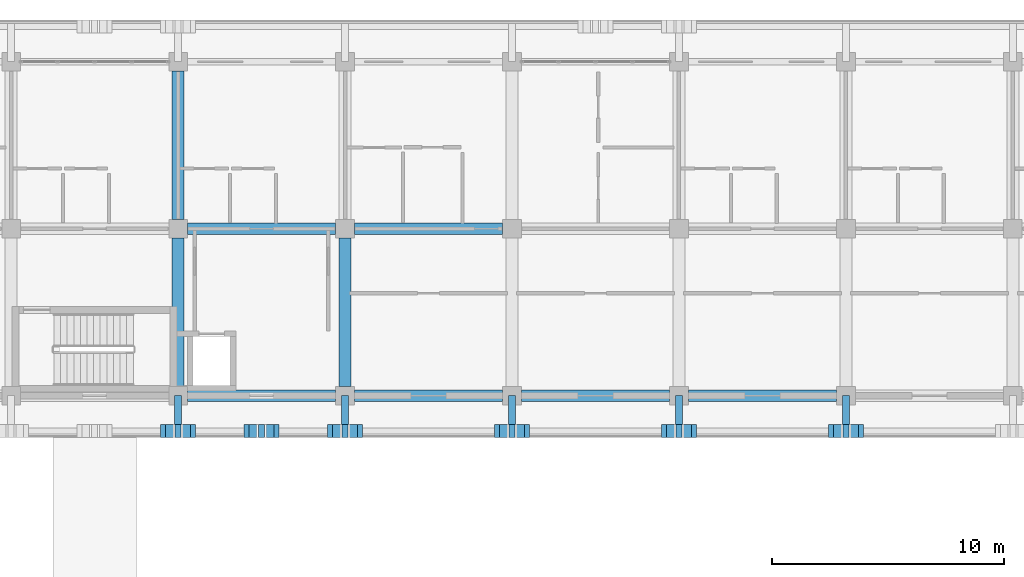
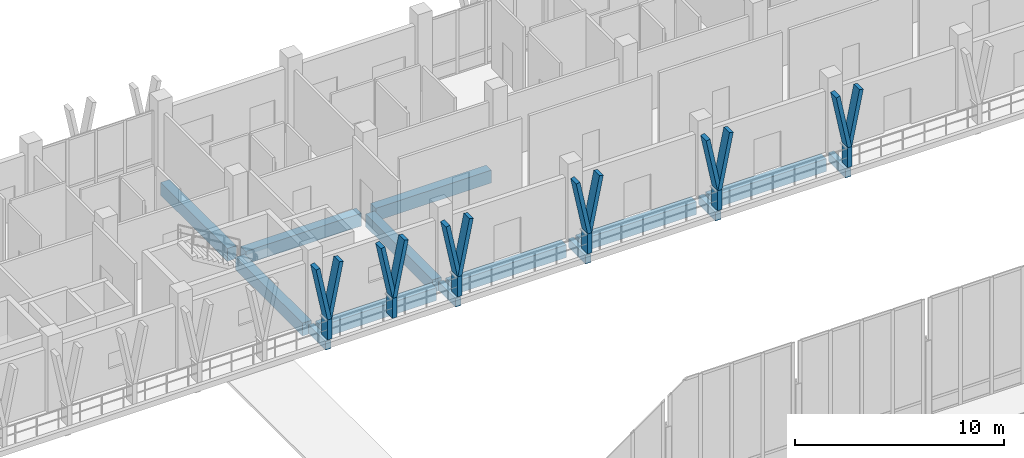
# One storey, part 40 of 110: 18 members, 14 beams.
"""IFC4 building model written with IfcOpenShell, lengths in metres."""

from ifc_helpers import new_model, si_unit, direction, frame, origin, origin_2d, place, context, subcontext, project, spatial, rectangle, extrude, material, material_profile, profile_set, type_object, element, save


model = new_model("IFC4")

# Units and contexts
model_context = context("Model", 3, precision=1e-05, world=origin(), true_north=direction((0.0, 1.0)))
body_context = subcontext(model_context, "Body", "Model", "MODEL_VIEW")
ifc_project = project(units=[si_unit("LENGTHUNIT", "METRE"), si_unit("AREAUNIT", "SQUARE_METRE"), si_unit("VOLUMEUNIT", "CUBIC_METRE"), si_unit("PLANEANGLEUNIT", "RADIAN"), si_unit("MASSUNIT", "GRAM", prefix="KILO")], contexts=[model_context])

# Site, building, storey
site_placement = place(None, origin())
site = spatial("IfcSite", under=ifc_project, at=site_placement, CompositionType="ELEMENT")
building_placement = place(site_placement, origin())
building = spatial("IfcBuilding", under=site, at=building_placement, Name="Suanplinth Sawtooth Commons", CompositionType="ELEMENT")
storey_placement = place(building_placement, frame((0.0, 0.0, 4.5)))
storey = spatial("IfcBuildingStorey", under=building, at=storey_placement, Name="L01", CompositionType="ELEMENT", Elevation=4.5)

# Beams
ifc_material_1 = material(Name="Concrete C40/50", Category="concrete")
ifc_material_profile_1 = material_profile(ifc_material_1, rectangle(XDim=0.5, YDim=0.75, at=origin_2d()), Name="RC-GDR 500x750")
ifc_profile_set_1 = profile_set([ifc_material_profile_1], Name="Concrete C40/50")
beam_type_1 = type_object("IfcBeamType", Name="B-03", PredefinedType="USERDEFINED", material=ifc_profile_set_1)
for number, where, z_axis, x_axis, name in (
    (1, (65.199951171875, 108.0, -0.675048828125), (1.0, 0.0, 0.0), (0.0, 1.0, 0.0), "BMX-L01-A-9-15"),
    (2, (65.199951171875, 115.199951171875, -0.675048828125), (1.0, 0.0, 0.0), (0.0, 1.0, 0.0), "BMX-L01-A-9-16"),
    (3, (72.39990234375, 108.0, -0.675048828125), (1.0, 0.0, 0.0), (0.0, 1.0, 0.0), "BMX-L01-A-10-15"),
    (4, (72.39990234375, 115.199951171875, -0.675048828125), (1.0, 0.0, 0.0), (0.0, 1.0, 0.0), "BMX-L01-A-10-16"),
):
    element("IfcBeam", number, at=place(storey_placement, frame(where, z_axis=z_axis, x_axis=x_axis)), inside=storey, type_object=beam_type_1, Name=name, ObjectType="GIRDER", PredefinedType="USERDEFINED", context=body_context, shape_type="SweptSolid", body=[
        extrude(rectangle(XDim=0.5, YDim=0.75, at=origin_2d()), origin(), (0.0, 0.0, 1.0), 6.400146484375),
    ])
for number, where, z_axis, x_axis, name in (
    (5, (79.60009765625, 108.0, -0.675048828125), (1.0, 0.0, 0.0), (0.0, 1.0, 0.0), "BMX-L01-A-11-15"),
    (6, (86.800048828125, 108.0, -0.675048828125), (1.0, 0.0, 0.0), (0.0, 1.0, 0.0), "BMX-L01-A-12-15"),
):
    element("IfcBeam", number, at=place(storey_placement, frame(where, z_axis=z_axis, x_axis=x_axis)), inside=storey, type_object=beam_type_1, Name=name, ObjectType="GIRDER", PredefinedType="USERDEFINED", context=body_context, shape_type="SweptSolid", body=[
        extrude(rectangle(XDim=0.5, YDim=0.75, at=origin_2d()), origin(), (0.0, 0.0, 1.0), 6.39990234375),
    ])
beam_1_placement = place(storey_placement, frame((64.800048828125, 108.39990234375, -0.675048828125), z_axis=(0.0, 1.0, 0.0), x_axis=(-1.0, 0.0, 0.0)))
element("IfcBeam", 7, at=beam_1_placement, inside=storey, type_object=beam_type_1, Name="BMY-L01-A-9-15", ObjectType="GIRDER", PredefinedType="USERDEFINED", context=body_context, shape_type="SweptSolid", body=[
    extrude(rectangle(XDim=0.5, YDim=0.75, at=origin_2d()), origin(), (0.0, 0.0, 1.0), 6.400146484375),
])
beam_2_placement = place(storey_placement, frame((64.800048828125, 115.60009765625, -0.675048828125), z_axis=(0.0, 1.0, 0.0), x_axis=(-1.0, 0.0, 0.0)))
element("IfcBeam", 8, at=beam_2_placement, inside=storey, type_object=beam_type_1, Name="BMY-L01-A-9-16", ObjectType="GIRDER", PredefinedType="USERDEFINED", context=body_context, shape_type="SweptSolid", body=[
    extrude(rectangle(XDim=0.5, YDim=0.75, at=origin_2d()), origin(), (0.0, 0.0, 1.0), 6.39990234375),
])
beam_3_placement = place(storey_placement, frame((72.0, 108.39990234375, -0.675048828125), z_axis=(0.0, 1.0, 0.0), x_axis=(-1.0, 0.0, 0.0)))
element("IfcBeam", 9, at=beam_3_placement, inside=storey, type_object=beam_type_1, Name="BMY-L01-A-10-15", ObjectType="GIRDER", PredefinedType="USERDEFINED", context=body_context, shape_type="SweptSolid", body=[
    extrude(rectangle(XDim=0.5, YDim=0.75, at=origin_2d()), origin(), (0.0, 0.0, 1.0), 6.400146484375),
])
ifc_material_2 = material(Name="Precast concrete C40/50", Category="concrete")
ifc_material_profile_2 = material_profile(ifc_material_2, rectangle(XDim=0.300048828125, YDim=0.5, at=origin_2d()), Name="PC-BM 300x500")
ifc_profile_set_2 = profile_set([ifc_material_profile_2], Name="Precast concrete C40/50")
beam_type_2 = type_object("IfcBeamType", Name="B-07", PredefinedType="BEAM", material=ifc_profile_set_2)
for number, where, z_axis, x_axis, name in (
    (10, (64.800048828125, 108.0, -0.429931640625), (0.0, -1.0, 0.0), (1.0, 0.0, 0.0), "Balcony Outrigger L01-A-S-9"),
    (11, (72.0, 108.0, -0.429931640625), (0.0, -1.0, 0.0), (1.0, 0.0, 0.0), "Balcony Outrigger L01-A-S-10"),
    (12, (79.199951171875, 108.0, -0.429931640625), (0.0, -1.0, 0.0), (1.0, 0.0, 0.0), "Balcony Outrigger L01-A-S-11"),
    (13, (86.39990234375, 108.0, -0.429931640625), (0.0, -1.0, 0.0), (1.0, 0.0, 0.0), "Balcony Outrigger L01-A-S-12"),
    (14, (93.60009765625, 108.0, -0.429931640625), (0.0, -1.0, 0.0), (1.0, 0.0, 0.0), "Balcony Outrigger L01-A-S-13"),
):
    element("IfcBeam", number, at=place(storey_placement, frame(where, z_axis=z_axis, x_axis=x_axis)), inside=storey, type_object=beam_type_2, Name=name, PredefinedType="BEAM", context=body_context, shape_type="SweptSolid", body=[
        extrude(rectangle(XDim=0.300048828125, YDim=0.5, at=origin_2d()), origin(), (0.0, 0.0, 1.0), 1.639892578125),
    ])

# Members
ifc_material_3 = material(Name="Pigmented precast concrete C40/50", Category="concrete")
ifc_material_profile_3 = material_profile(ifc_material_3, rectangle(XDim=0.260009765625, YDim=0.550048828125, at=origin_2d()), Name="PC-FIN 260x550")
ifc_profile_set_3 = profile_set([ifc_material_profile_3], Name="Pigmented precast concrete C40/50")
member_type_1 = type_object("IfcMemberType", Name="M-09", PredefinedType="USERDEFINED", material=ifc_profile_set_3)
for number, where, z_axis, x_axis, name in (
    (15, (64.800048828125, 106.47998046875, 0.0), (0.0, 0.0, 1.0), (1.0, 0.0, 0.0), "Y-Blade Stem L01-A-S-22"),
    (16, (68.39990234375, 106.47998046875, 0.0), (0.0, 0.0, 1.0), (1.0, 0.0, 0.0), "Y-Blade Stem L01-A-S-23"),
    (17, (72.0, 106.47998046875, 0.0), (0.0, 0.0, 1.0), (1.0, 0.0, 0.0), "Y-Blade Stem L01-A-S-24"),
    (18, (79.199951171875, 106.47998046875, 0.0), (0.0, 0.0, 1.0), (1.0, 0.0, 0.0), "Y-Blade Stem L01-A-S-25"),
    (19, (86.39990234375, 106.47998046875, 0.0), (0.0, 0.0, 1.0), (1.0, 0.0, 0.0), "Y-Blade Stem L01-A-S-26"),
    (20, (93.60009765625, 106.47998046875, 0.0), (0.0, 0.0, 1.0), (1.0, 0.0, 0.0), "Y-Blade Stem L01-A-S-27"),
):
    element("IfcMember", number, at=place(storey_placement, frame(where, z_axis=z_axis, x_axis=x_axis)), inside=storey, type_object=member_type_1, Name=name, ObjectType="SHADING FIN", PredefinedType="USERDEFINED", context=body_context, shape_type="SweptSolid", body=[
        extrude(rectangle(XDim=0.260009765625, YDim=0.550048828125, at=origin_2d()), origin(), (0.0, 0.0, 1.0), 1.169921875),
    ])
ifc_material_profile_4 = material_profile(ifc_material_3, rectangle(XDim=0.219970703125, YDim=0.550048828125, at=origin_2d()), Name="PC-FIN 220x550")
ifc_profile_set_4 = profile_set([ifc_material_profile_4], Name="Pigmented precast concrete C40/50")
member_type_2 = type_object("IfcMemberType", Name="M-10", PredefinedType="USERDEFINED", material=ifc_profile_set_4)
member_1_placement = place(storey_placement, frame((64.800048828125, 106.47998046875, 1.1298828125), z_axis=(-0.197582858822, 0.0, 0.980286189793), x_axis=(0.980286189793, 0.0, 0.197582858822)))
element("IfcMember", 21, at=member_1_placement, inside=storey, type_object=member_type_2, Name="Y-Blade Arm L L01-A-S-22", ObjectType="SHADING FIN", PredefinedType="USERDEFINED", context=body_context, shape_type="SweptSolid", body=[
    extrude(rectangle(XDim=0.219970703125, YDim=0.550048828125, at=origin_2d()), origin(), (0.0, 0.0, 1.0), 3.2646484375),
])
for number, where, z_axis, x_axis, name in (
    (22, (64.800048828125, 106.47998046875, 1.1298828125), (0.197510991436, 0.0, 0.980300672377), (-0.980300672377, 0.0, 0.197510991436), "Y-Blade Arm R L01-A-S-22"),
    (23, (68.39990234375, 106.47998046875, 1.1298828125), (-0.197510991436, 0.0, 0.980300672377), (0.980300672377, 0.0, 0.197510991436), "Y-Blade Arm L L01-A-S-23"),
):
    element("IfcMember", number, at=place(storey_placement, frame(where, z_axis=z_axis, x_axis=x_axis)), inside=storey, type_object=member_type_2, Name=name, ObjectType="SHADING FIN", PredefinedType="USERDEFINED", context=body_context, shape_type="SweptSolid", body=[
        extrude(rectangle(XDim=0.219970703125, YDim=0.550048828125, at=origin_2d()), origin(), (0.0, 0.0, 1.0), 3.264404296875),
    ])
for number, where, z_axis, x_axis, name in (
    (24, (68.39990234375, 106.47998046875, 1.1298828125), (0.197582858822, 0.0, 0.980286189793), (-0.980286189793, 0.0, 0.197582858822), "Y-Blade Arm R L01-A-S-23"),
    (25, (72.0, 106.47998046875, 1.1298828125), (-0.197582858822, 0.0, 0.980286189793), (0.980286189793, 0.0, 0.197582858822), "Y-Blade Arm L L01-A-S-24"),
    (26, (72.0, 106.47998046875, 1.1298828125), (0.197582858822, 0.0, 0.980286189793), (-0.980286189793, 0.0, 0.197582858822), "Y-Blade Arm R L01-A-S-24"),
):
    element("IfcMember", number, at=place(storey_placement, frame(where, z_axis=z_axis, x_axis=x_axis)), inside=storey, type_object=member_type_2, Name=name, ObjectType="SHADING FIN", PredefinedType="USERDEFINED", context=body_context, shape_type="SweptSolid", body=[
        extrude(rectangle(XDim=0.219970703125, YDim=0.550048828125, at=origin_2d()), origin(), (0.0, 0.0, 1.0), 3.2646484375),
    ])
member_2_placement = place(storey_placement, frame((79.199951171875, 106.47998046875, 1.1298828125), z_axis=(-0.197510991436, 0.0, 0.980300672377), x_axis=(0.980300672377, 0.0, 0.197510991436)))
element("IfcMember", 27, at=member_2_placement, inside=storey, type_object=member_type_2, Name="Y-Blade Arm L L01-A-S-25", ObjectType="SHADING FIN", PredefinedType="USERDEFINED", context=body_context, shape_type="SweptSolid", body=[
    extrude(rectangle(XDim=0.219970703125, YDim=0.550048828125, at=origin_2d()), origin(), (0.0, 0.0, 1.0), 3.264404296875),
])
member_3_placement = place(storey_placement, frame((79.199951171875, 106.47998046875, 1.1298828125), z_axis=(0.197582858822, 0.0, 0.980286189793), x_axis=(-0.980286189793, 0.0, 0.197582858822)))
element("IfcMember", 28, at=member_3_placement, inside=storey, type_object=member_type_2, Name="Y-Blade Arm R L01-A-S-25", ObjectType="SHADING FIN", PredefinedType="USERDEFINED", context=body_context, shape_type="SweptSolid", body=[
    extrude(rectangle(XDim=0.219970703125, YDim=0.550048828125, at=origin_2d()), origin(), (0.0, 0.0, 1.0), 3.2646484375),
])
member_4_placement = place(storey_placement, frame((86.39990234375, 106.47998046875, 1.1298828125), z_axis=(-0.197510991436, 0.0, 0.980300672377), x_axis=(0.980300672377, 0.0, 0.197510991436)))
element("IfcMember", 29, at=member_4_placement, inside=storey, type_object=member_type_2, Name="Y-Blade Arm L L01-A-S-26", ObjectType="SHADING FIN", PredefinedType="USERDEFINED", context=body_context, shape_type="SweptSolid", body=[
    extrude(rectangle(XDim=0.219970703125, YDim=0.550048828125, at=origin_2d()), origin(), (0.0, 0.0, 1.0), 3.264404296875),
])
for number, where, z_axis, x_axis, name in (
    (30, (86.39990234375, 106.47998046875, 1.1298828125), (0.197582858822, 0.0, 0.980286189793), (-0.980286189793, 0.0, 0.197582858822), "Y-Blade Arm R L01-A-S-26"),
    (31, (93.60009765625, 106.47998046875, 1.1298828125), (-0.197582858822, 0.0, 0.980286189793), (0.980286189793, 0.0, 0.197582858822), "Y-Blade Arm L L01-A-S-27"),
):
    element("IfcMember", number, at=place(storey_placement, frame(where, z_axis=z_axis, x_axis=x_axis)), inside=storey, type_object=member_type_2, Name=name, ObjectType="SHADING FIN", PredefinedType="USERDEFINED", context=body_context, shape_type="SweptSolid", body=[
        extrude(rectangle(XDim=0.219970703125, YDim=0.550048828125, at=origin_2d()), origin(), (0.0, 0.0, 1.0), 3.2646484375),
    ])
member_5_placement = place(storey_placement, frame((93.60009765625, 106.47998046875, 1.1298828125), z_axis=(0.197510991436, 0.0, 0.980300672377), x_axis=(-0.980300672377, 0.0, 0.197510991436)))
element("IfcMember", 32, at=member_5_placement, inside=storey, type_object=member_type_2, Name="Y-Blade Arm R L01-A-S-27", ObjectType="SHADING FIN", PredefinedType="USERDEFINED", context=body_context, shape_type="SweptSolid", body=[
    extrude(rectangle(XDim=0.219970703125, YDim=0.550048828125, at=origin_2d()), origin(), (0.0, 0.0, 1.0), 3.264404296875),
])

save(model, "model.ifc")
